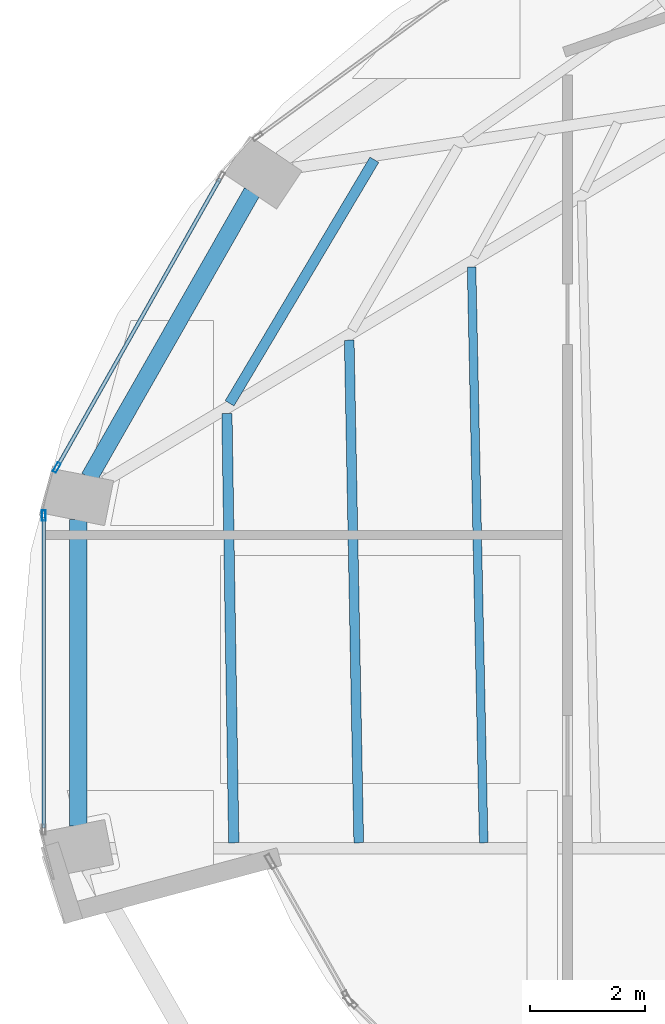
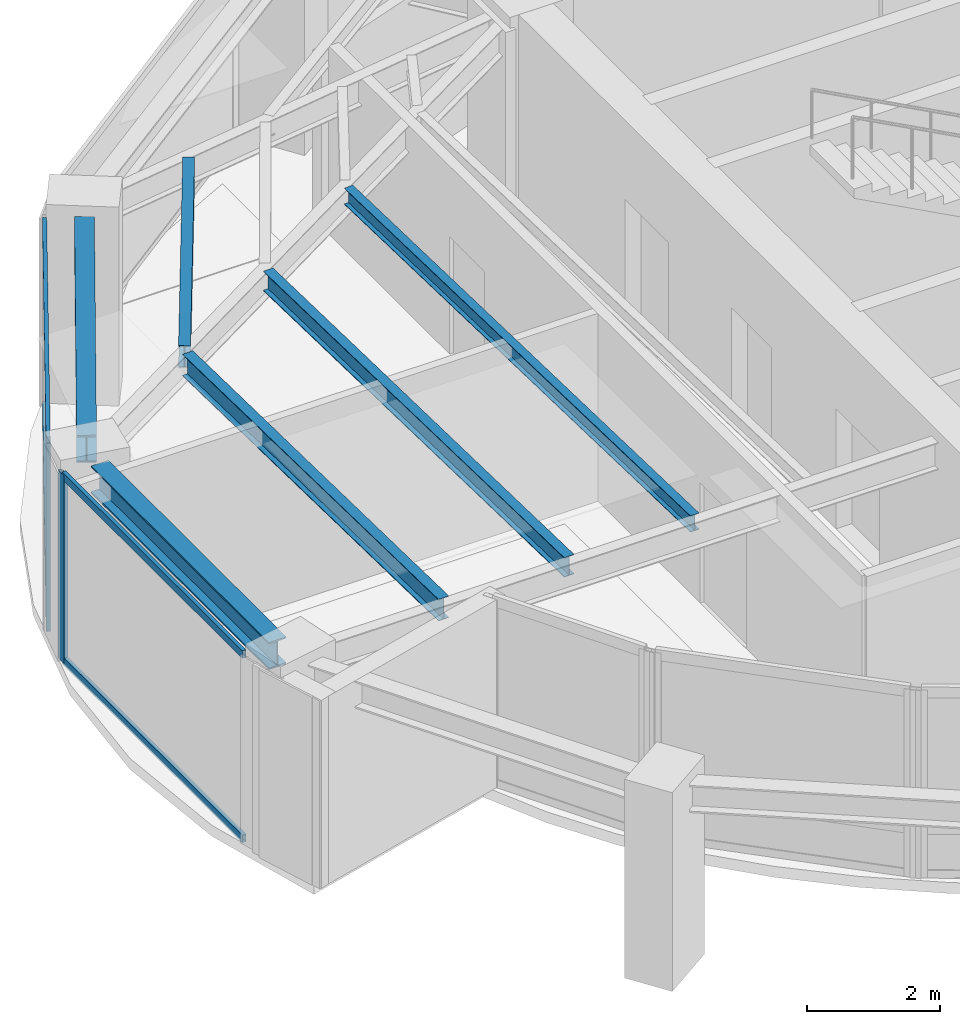
# One storey, part 6 of 21: 6 beams, 6 members, 2 elements without a shape of their own.
"""IFC4 building model written with IfcOpenShell, lengths in metres."""

import ifcopenshell
import ifcopenshell.guid

model = None  # the IFC model being written
_history = None  # IfcOwnerHistory: only IFC2X3 demands one
_inside = {}  # id of a spatial element -> (the spatial element, [elements in it])
_under = {}  # id of a project, library or spatial element -> (it, [spatial elements below it])
_declared = {}  # id of a project -> (the project, [libraries it declares])
_typed = {}  # id of a type object -> (the type object, [elements of that type])
_made_of = {}  # id of a material, layer set ... -> (it, [elements and type objects made of it])


def new_model(schema):
    """Start an empty IFC model of exactly this schema.

    Asked for "IFC4X3", IfcOpenShell would pick the latest addendum, in which some entities
    have other attributes; the version numbers below select the first issue.
    IFC2X3 requires an IfcOwnerHistory on every rooted entity: one is made here for all.
    """
    global model, _history
    if schema == "IFC4X3":
        model = ifcopenshell.file(schema_version=(4, 3, 0, 0))
    else:
        model = ifcopenshell.file(schema=schema)
    _inside.clear()
    _under.clear()
    _declared.clear()
    _typed.clear()
    _made_of.clear()
    _history = None
    if model.schema == "IFC2X3":
        org = make("IfcOrganization", Name="unknown")
        user = make(
            "IfcPersonAndOrganization",
            ThePerson=make("IfcPerson", FamilyName="unknown"),
            TheOrganization=org,
        )
        app = make(
            "IfcApplication",
            ApplicationDeveloper=org,
            Version="unknown",
            ApplicationFullName="unknown",
            ApplicationIdentifier="unknown",
        )
        _history = make(
            "IfcOwnerHistory",
            OwningUser=user,
            OwningApplication=app,
            ChangeAction="ADDED",
            CreationDate=0,
        )
    return model


def make(cls, **values):
    """One entity of the class cls with the attributes given. An attribute that is None is left unset."""
    return model.create_entity(
        cls, **{name: value for name, value in values.items() if value is not None}
    )


def rooted(cls, **values):
    """An entity with a GlobalId (a new one), such as an element, a storey or a relation."""
    return make(cls, GlobalId=ifcopenshell.guid.new(), OwnerHistory=_history, **values)


def si_unit(unit_type, name, prefix=None):
    """IfcSIUnit, for example si_unit("LENGTHUNIT", "METRE", prefix="MILLI")."""
    return make("IfcSIUnit", UnitType=unit_type, Prefix=prefix, Name=name)


def assignment(units):
    """IfcUnitAssignment: the units of a project."""
    return None if units is None else make("IfcUnitAssignment", Units=units)


def point(xyz):
    """IfcCartesianPoint."""
    return None if xyz is None else make("IfcCartesianPoint", Coordinates=xyz)


def direction(xyz):
    """IfcDirection."""
    return None if xyz is None else make("IfcDirection", DirectionRatios=xyz)


def frame(location, z_axis=None, x_axis=None):
    """IfcAxis2Placement3D, a coordinate frame: its origin and axes. An axis left out is left unset."""
    return make(
        "IfcAxis2Placement3D",
        Location=point(location),
        Axis=direction(z_axis),
        RefDirection=direction(x_axis),
    )


def frame_2d(location, x_axis=None):
    """IfcAxis2Placement2D, a coordinate frame in the plane: its origin and x axis."""
    return make(
        "IfcAxis2Placement2D", Location=point(location), RefDirection=direction(x_axis)
    )


def origin():
    """The frame at (0, 0, 0) with its axes left unset."""
    return frame((0.0, 0.0, 0.0))


def origin_2d():
    """The frame at (0, 0) in the plane with its x axis left unset."""
    return frame_2d((0.0, 0.0))


def place(relative_to, where):
    """IfcLocalPlacement: puts the frame where relative to a parent placement (None: the world)."""
    return make(
        "IfcLocalPlacement", PlacementRelTo=relative_to, RelativePlacement=where
    )


def context(
    kind, dimensions, precision=None, world=None, true_north=None, identifier=None
):
    """IfcGeometricRepresentationContext, for example the 3D "Model" context."""
    return make(
        "IfcGeometricRepresentationContext",
        ContextIdentifier=identifier,
        ContextType=kind,
        CoordinateSpaceDimension=dimensions,
        Precision=precision,
        WorldCoordinateSystem=world,
        TrueNorth=true_north,
    )


def subcontext(parent, identifier, kind, view, scale=None):
    """IfcGeometricRepresentationSubContext, for example "Body" below "Model"."""
    return make(
        "IfcGeometricRepresentationSubContext",
        ContextIdentifier=identifier,
        ContextType=kind,
        ParentContext=parent,
        TargetScale=scale,
        TargetView=view,
    )


def project(units=None, contexts=None):
    """IfcProject with its units and contexts."""
    return rooted(
        "IfcProject",
        Name="project",
        RepresentationContexts=contexts,
        UnitsInContext=assignment(units),
    )


def spatial(cls, under=None, at=None, **own):
    """A site, building, storey or space (cls), placed at a placement, below another one or the project."""
    s = rooted(cls, ObjectPlacement=at, **own)
    if under is not None:
        _under.setdefault(under.id(), (under, []))[1].append(s)
    return s


def profile(cls, at=None, kind="AREA", **sizes):
    """A parametric profile (cls). Its sizes go by their IFC names, for example OverallWidth=200.0."""
    return make(cls, ProfileType=kind, Position=at, **sizes)


def hollow_rectangle(**sizes):
    """IfcRectangleHollowProfileDef."""
    return profile("IfcRectangleHollowProfileDef", **sizes)


def i_section(**sizes):
    """IfcIShapeProfileDef."""
    return profile("IfcIShapeProfileDef", **sizes)


def extrude(swept, where, along, depth):
    """IfcExtrudedAreaSolid: the profile swept, set in the frame where, extruded along a direction by depth."""
    return make(
        "IfcExtrudedAreaSolid",
        SweptArea=swept,
        Position=where,
        ExtrudedDirection=direction(along),
        Depth=depth,
    )


def shape(context_of_items, identifier, shape_type, items):
    """IfcShapeRepresentation: the items that make up one representation, for example the "Body"."""
    return make(
        "IfcShapeRepresentation",
        ContextOfItems=context_of_items,
        RepresentationIdentifier=identifier,
        RepresentationType=shape_type,
        Items=items,
    )


def material(Name=None, Category=None):
    """IfcMaterial."""
    return make("IfcMaterial", Name=Name, Category=Category)


def layer(
    of_material, thickness, ventilated=None, Name=None, Category=None, Priority=None
):
    """IfcMaterialLayer: one layer of a wall or slab, of a material (None: an air gap)."""
    return make(
        "IfcMaterialLayer",
        Material=of_material,
        LayerThickness=thickness,
        IsVentilated=ventilated,
        Name=Name,
        Category=Category,
        Priority=Priority,
    )


def layer_set(layers, Name=None):
    """IfcMaterialLayerSet."""
    return make("IfcMaterialLayerSet", MaterialLayers=layers, LayerSetName=Name)


def material_profile(
    of_material, cross_section, Name=None, Category=None, Priority=None
):
    """IfcMaterialProfile: a cross section and its material."""
    return make(
        "IfcMaterialProfile",
        Name=Name,
        Material=of_material,
        Profile=cross_section,
        Priority=Priority,
        Category=Category,
    )


def profile_set(profiles, Name=None, composite=None):
    """IfcMaterialProfileSet."""
    return make(
        "IfcMaterialProfileSet",
        Name=Name,
        MaterialProfiles=profiles,
        CompositeProfile=composite,
    )


def made_of(thing, what):
    """Note that an element or type object is made of a material, layer set ...; save() writes the relation."""
    if what is not None:
        _made_of.setdefault(what.id(), (what, []))[1].append(thing)
    return thing


def type_object(cls, material=None, **own):
    """A type object (cls), such as IfcWallType, which elements share."""
    return made_of(rooted(cls, **own), material)


def element(
    cls,
    number,
    at=None,
    inside=None,
    cuts=None,
    type_object=None,
    material=None,
    context=None,
    identifier="Body",
    shape_type=None,
    held_by="IfcProductDefinitionShape",
    body=None,
    shapes=None,
    **own,
):
    """One element of the class cls, such as IfcWall. Its Tag is "e" and its number.

    at: its placement. inside: the storey or other place that contains it. cuts: it is an
    opening in that element (IfcRelVoidsElement). A single representation is given by context,
    identifier, shape_type and body (its items); several are given by shapes. held_by: the class
    of the entity that holds the representations. save() writes the other relations.
    """
    e = rooted(cls, Tag="e%d" % number, ObjectPlacement=at, **own)
    if body is not None:
        shapes = [shape(context, identifier, shape_type, body)]
    if shapes is not None:
        e.Representation = make(held_by, Representations=shapes)
    if inside is not None:
        _inside.setdefault(inside.id(), (inside, []))[1].append(e)
    if cuts is not None:
        rooted(
            "IfcRelVoidsElement", RelatingBuildingElement=cuts, RelatedOpeningElement=e
        )
    if type_object is not None:
        _typed.setdefault(type_object.id(), (type_object, []))[1].append(e)
    return made_of(e, material)


def aggregate(whole, parts):
    """IfcRelAggregates: a whole, such as a stair, and the parts it consists of."""
    return rooted("IfcRelAggregates", RelatingObject=whole, RelatedObjects=parts)


def save(model, path):
    """Write the relations noted so far, then the file.

    IfcRelAggregates (storeys below a building ...), IfcRelContainedInSpatialStructure (elements
    in a storey), IfcRelDefinesByType, IfcRelAssociatesMaterial and IfcRelDeclares: one each for
    every whole, place, type object, material and project.
    """
    for whole, parts in _under.values():
        aggregate(whole, parts)
    for where, things in _inside.values():
        rooted(
            "IfcRelContainedInSpatialStructure",
            RelatedElements=things,
            RelatingStructure=where,
        )
    for kind, things in _typed.values():
        rooted("IfcRelDefinesByType", RelatedObjects=things, RelatingType=kind)
    for what, things in _made_of.values():
        rooted("IfcRelAssociatesMaterial", RelatedObjects=things, RelatingMaterial=what)
    for by, libraries in _declared.values():
        rooted("IfcRelDeclares", RelatingContext=by, RelatedDefinitions=libraries)
    model.write(path)


model = new_model("IFC4")

# Units and contexts
model_context = context("Model", 3, precision=1e-05, world=origin(), true_north=direction((0.0, 1.0)))
body_context = subcontext(model_context, "Body", "Model", "MODEL_VIEW")
ifc_project = project(units=[si_unit("LENGTHUNIT", "METRE"), si_unit("AREAUNIT", "SQUARE_METRE"), si_unit("VOLUMEUNIT", "CUBIC_METRE"), si_unit("PLANEANGLEUNIT", "RADIAN"), si_unit("MASSUNIT", "GRAM", prefix="KILO")], contexts=[model_context])

# Site, building, storey
site_placement = place(None, origin())
site = spatial("IfcSite", under=ifc_project, at=site_placement, CompositionType="ELEMENT")
building_placement = place(site_placement, origin())
building = spatial("IfcBuilding", under=site, at=building_placement, Name="Lazwardi Medical Tower", CompositionType="ELEMENT")
storey_placement = place(building_placement, frame((0.0, 0.0, 220.367919921875)))
storey = spatial("IfcBuildingStorey", under=building, at=storey_placement, Name="L57", CompositionType="ELEMENT", Elevation=220.367919921875)

# Beams
ifc_material_1 = material(Name="Steel S355", Category="steel")
ifc_material_profile_1 = material_profile(ifc_material_1, i_section(OverallWidth=0.300048828125, OverallDepth=0.5, WebThickness=0.014404296875, FlangeThickness=0.028076171875, at=origin_2d()), Name="HEB 500")
ifc_profile_set_1 = profile_set([ifc_material_profile_1], Name="Steel S355")
beam_type_1 = type_object("IfcBeamType", Name="BM-RB-Z4", PredefinedType="BEAM", material=ifc_profile_set_1)
beam_1_placement = place(storey_placement, frame((17.84716796875, 33.983642578125, 3.197998046875), z_axis=(-0.495125273299, -0.868821594886, 0.0), x_axis=(0.868821594886, -0.495125273299, 0.0)))
element("IfcBeam", 1, at=beam_1_placement, inside=storey, type_object=beam_type_1, Name="Ring beam RB-05 B11 L57", PredefinedType="BEAM", context=body_context, shape_type="SweptSolid", body=[
    extrude(i_section(OverallWidth=0.300048828125, OverallDepth=0.5, WebThickness=0.014404296875, FlangeThickness=0.028076171875, at=origin_2d()), origin(), (0.0, 0.0, 1.0), 5.734130859375),
])
beam_2_placement = place(storey_placement, frame((14.81494140625, 28.27294921875, 3.197998046875), z_axis=(0.0, -1.0, 0.0), x_axis=(1.0, 0.0, 0.0)))
element("IfcBeam", 2, at=beam_2_placement, inside=storey, type_object=beam_type_1, Name="Ring beam RB-05 B12 L57", PredefinedType="BEAM", context=body_context, shape_type="SweptSolid", body=[
    extrude(i_section(OverallWidth=0.300048828125, OverallDepth=0.5, WebThickness=0.014404296875, FlangeThickness=0.028076171875, at=origin_2d()), origin(), (0.0, 0.0, 1.0), 5.345947265625),
])
ifc_material_profile_2 = material_profile(ifc_material_1, i_section(OverallWidth=0.179931640625, OverallDepth=0.39990234375, WebThickness=0.008544921875, FlangeThickness=0.013427734375, at=origin_2d()), Name="IPE 400")
ifc_profile_set_2 = profile_set([ifc_material_profile_2], Name="Steel S355")
beam_type_2 = type_object("IfcBeamType", Name="BM-SJ-01", PredefinedType="JOIST", material=ifc_profile_set_2)
beam_3_placement = place(storey_placement, frame((19.98095703125, 34.544921875, 3.248046875), z_axis=(-0.510967866251, -0.859599813668, 0.0), x_axis=(0.859599813668, -0.510967866251, 0.0)))
element("IfcBeam", 3, at=beam_3_placement, inside=storey, type_object=beam_type_2, Name="Secondary joist SJ-01 R1 B11 L57", PredefinedType="JOIST", context=body_context, shape_type="SweptSolid", body=[
    extrude(i_section(OverallWidth=0.179931640625, OverallDepth=0.39990234375, WebThickness=0.008544921875, FlangeThickness=0.013427734375, at=origin_2d()), origin(), (0.0, 0.0, 1.0), 4.94189453125),
])
beam_4_placement = place(storey_placement, frame((17.408935546875, 30.120361328125, 3.248046875), z_axis=(0.015973444315, -0.9998724164, 0.0), x_axis=(0.9998724164, 0.015973444315, 0.0)))
element("IfcBeam", 4, at=beam_4_placement, inside=storey, type_object=beam_type_2, Name="Secondary joist SJ-01 R1 B12 L57", PredefinedType="JOIST", context=body_context, shape_type="SweptSolid", body=[
    extrude(i_section(OverallWidth=0.179931640625, OverallDepth=0.39990234375, WebThickness=0.008544921875, FlangeThickness=0.013427734375, at=origin_2d()), origin(), (0.0, 0.0, 1.0), 7.4892578125),
])
ifc_material_profile_3 = material_profile(ifc_material_1, i_section(OverallWidth=0.169921875, OverallDepth=0.360107421875, WebThickness=0.008056640625, FlangeThickness=0.0126953125, at=origin_2d()), Name="IPE 360")
ifc_profile_set_3 = profile_set([ifc_material_profile_3], Name="Steel S355")
beam_type_3 = type_object("IfcBeamType", Name="BM-SJ-02", PredefinedType="JOIST", material=ifc_profile_set_3)
beam_5_placement = place(storey_placement, frame((19.54248046875, 31.397705078125, 3.26806640625), z_axis=(0.018908160974, -0.999821224744, 0.0), x_axis=(0.999821224744, 0.018908160974, 0.0)))
element("IfcBeam", 5, at=beam_5_placement, inside=storey, type_object=beam_type_3, Name="Secondary joist SJ-02 R2 B12 L57", PredefinedType="JOIST", context=body_context, shape_type="SweptSolid", body=[
    extrude(i_section(OverallWidth=0.169921875, OverallDepth=0.360107421875, WebThickness=0.008056640625, FlangeThickness=0.0126953125, at=origin_2d()), origin(), (0.0, 0.0, 1.0), 8.76708984375),
])
ifc_material_profile_4 = material_profile(ifc_material_1, i_section(OverallWidth=0.14990234375, OverallDepth=0.300048828125, WebThickness=0.007080078125, FlangeThickness=0.0107421875, at=origin_2d()), Name="IPE 300")
ifc_profile_set_4 = profile_set([ifc_material_profile_4], Name="Steel S355")
beam_type_4 = type_object("IfcBeamType", Name="BM-SJ-03", PredefinedType="JOIST", material=ifc_profile_set_4)
beam_6_placement = place(storey_placement, frame((21.67626953125, 32.67529296875, 3.298095703125), z_axis=(0.021071237716, -0.999777976823, 0.0), x_axis=(0.999777976823, 0.021071237716, 0.0)))
element("IfcBeam", 6, at=beam_6_placement, inside=storey, type_object=beam_type_4, Name="Secondary joist SJ-03 R3 B12 L57", PredefinedType="JOIST", context=body_context, shape_type="SweptSolid", body=[
    extrude(i_section(OverallWidth=0.14990234375, OverallDepth=0.300048828125, WebThickness=0.007080078125, FlangeThickness=0.0107421875, at=origin_2d()), origin(), (0.0, 0.0, 1.0), 10.04541015625),
])

# Curtain wall, member
ifc_material_2 = material(Name="Anodised bronze aluminium and solar control glazing", Category="aluminium")
ifc_layer = layer(ifc_material_2, 0.18994140625)
ifc_layer_set = layer_set([ifc_layer], Name="Anodised bronze aluminium and solar control glazing")
curtain_wall_type = type_object("IfcCurtainWallType", Name="CW-SYS-04", PredefinedType="NOTDEFINED", material=ifc_layer_set)
curtain_wall_1_placement = place(storey_placement, origin())
curtain_wall_1 = element("IfcCurtainWall", 7, at=curtain_wall_1_placement, inside=storey, type_object=curtain_wall_type, Name="L57 Unitised bronze curtain wall CW-04", PredefinedType="NOTDEFINED")
ifc_material_3 = material(Name="Anodised bronze aluminium", Category="aluminium")
ifc_material_profile_5 = material_profile(ifc_material_3, hollow_rectangle(XDim=0.06494140625, YDim=0.179931640625, WallThickness=0.00390625, at=origin_2d()), Name="ALU-MULLION 180x65x4")
ifc_profile_set_5 = profile_set([ifc_material_profile_5], Name="Anodised bronze aluminium")
member_type_1 = type_object("IfcMemberType", Name="CW-MUL-03", PredefinedType="MULLION", material=ifc_profile_set_5)
member_1_placement = place(storey_placement, frame((14.442626953125, 29.17822265625, 0.0), z_axis=(0.0, 0.0, 1.0), x_axis=(0.870651436011, -0.491900474661, 0.0)))
member_1 = element("IfcMember", 8, at=member_1_placement, type_object=member_type_1, Name="CW-04 mullion 2", PredefinedType="MULLION", context=body_context, shape_type="SweptSolid", body=[
    extrude(hollow_rectangle(XDim=0.06494140625, YDim=0.179931640625, WallThickness=0.00390625, at=origin_2d()), origin(), (0.0, 0.0, 1.0), 3.447998046875),
])

curtain_wall_2_placement = place(storey_placement, origin())
curtain_wall_2 = element("IfcCurtainWall", 9, at=curtain_wall_2_placement, inside=storey, type_object=curtain_wall_type, Name="L57 Unitised bronze curtain wall CW-04", PredefinedType="NOTDEFINED")
member_2_placement = place(storey_placement, frame((14.2158203125, 28.340576171875, 0.0), z_axis=(0.0, 0.0, 1.0), x_axis=(1.0, 0.0, 0.0)))
member_2 = element("IfcMember", 10, at=member_2_placement, type_object=member_type_1, Name="CW-04 mullion 1", PredefinedType="MULLION", context=body_context, shape_type="SweptSolid", body=[
    extrude(hollow_rectangle(XDim=0.06494140625, YDim=0.179931640625, WallThickness=0.00390625, at=origin_2d()), origin(), (0.0, 0.0, 1.0), 3.447998046875),
])

# Member
ifc_material_profile_6 = material_profile(ifc_material_3, hollow_rectangle(XDim=0.06494140625, YDim=0.139892578125, WallThickness=0.00341796875, at=origin_2d()), Name="ALU-TRANSOM 140x65x3.5")
ifc_profile_set_6 = profile_set([ifc_material_profile_6], Name="Anodised bronze aluminium")
member_type_2 = type_object("IfcMemberType", Name="CW-TRN-03", PredefinedType="USERDEFINED", material=ifc_profile_set_6)
member_3_placement = place(storey_placement, frame((17.28955078125, 34.21728515625, 0.032470703125), z_axis=(-0.491879719484, -0.87066316194, 0.0), x_axis=(0.87066316194, -0.491879719484, 0.0)))
member_3 = element("IfcMember", 11, at=member_3_placement, type_object=member_type_2, Name="CW-04 transom 1.1", ObjectType="TRANSOM", PredefinedType="USERDEFINED", context=body_context, shape_type="SweptSolid", body=[
    extrude(hollow_rectangle(XDim=0.06494140625, YDim=0.139892578125, WallThickness=0.00341796875, at=origin_2d()), origin(), (0.0, 0.0, 1.0), 5.755126953125),
])

member_4_placement = place(storey_placement, frame((17.28955078125, 34.21728515625, 3.41552734375), z_axis=(-0.491879719484, -0.87066316194, 0.0), x_axis=(0.87066316194, -0.491879719484, 0.0)))
member_4 = element("IfcMember", 12, at=member_4_placement, type_object=member_type_2, Name="CW-04 transom 1.2", ObjectType="TRANSOM", PredefinedType="USERDEFINED", context=body_context, shape_type="SweptSolid", body=[
    extrude(hollow_rectangle(XDim=0.06494140625, YDim=0.139892578125, WallThickness=0.00341796875, at=origin_2d()), origin(), (0.0, 0.0, 1.0), 5.755126953125),
])

aggregate(curtain_wall_1, [member_1, member_3, member_4])

member_5_placement = place(storey_placement, frame((14.2158203125, 28.30810546875, 0.032470703125), z_axis=(0.0, -1.0, 0.0), x_axis=(1.0, 0.0, 0.0)))
member_5 = element("IfcMember", 13, at=member_5_placement, type_object=member_type_2, Name="CW-04 transom 1.1", ObjectType="TRANSOM", PredefinedType="USERDEFINED", context=body_context, shape_type="SweptSolid", body=[
    extrude(hollow_rectangle(XDim=0.06494140625, YDim=0.139892578125, WallThickness=0.00341796875, at=origin_2d()), origin(), (0.0, 0.0, 1.0), 5.416015625),
])

member_6_placement = place(storey_placement, frame((14.2158203125, 28.30810546875, 3.41552734375), z_axis=(0.0, -1.0, 0.0), x_axis=(1.0, 0.0, 0.0)))
member_6 = element("IfcMember", 14, at=member_6_placement, type_object=member_type_2, Name="CW-04 transom 1.2", ObjectType="TRANSOM", PredefinedType="USERDEFINED", context=body_context, shape_type="SweptSolid", body=[
    extrude(hollow_rectangle(XDim=0.06494140625, YDim=0.139892578125, WallThickness=0.00341796875, at=origin_2d()), origin(), (0.0, 0.0, 1.0), 5.416015625),
])

aggregate(curtain_wall_2, [member_2, member_5, member_6])

save(model, "model.ifc")
